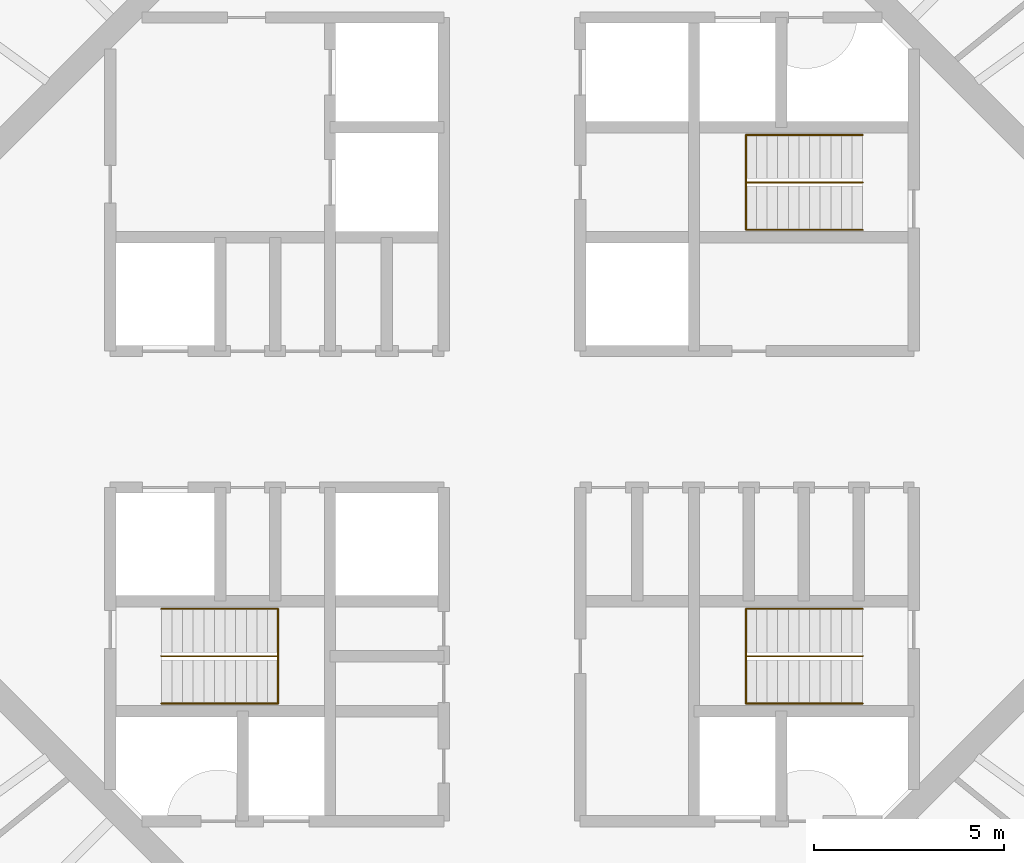
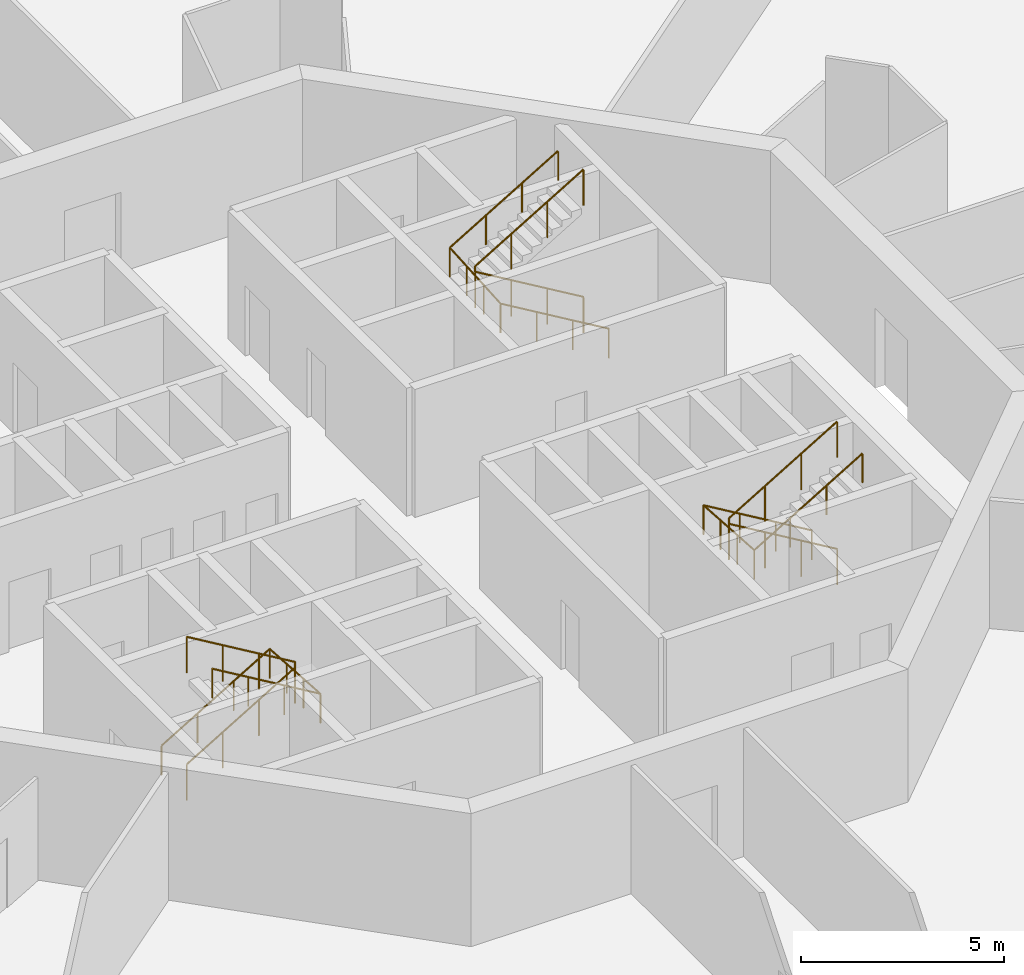
# One storey, part 13 of 13: 6 railings.
"""IFC4 building model written with IfcOpenShell, lengths in metres."""

from ifc_helpers import new_model, si_unit, direction, frame, origin, origin_2d, place, context, subcontext, project, spatial, circle, extrude, material, type_object, element, save


model = new_model("IFC4")

# Units and contexts
model_context = context("Model", 3, precision=1e-05, world=origin(), true_north=direction((0.0, 1.0)))
body_context = subcontext(model_context, "Body", "Model", "MODEL_VIEW")
ifc_project = project(units=[si_unit("LENGTHUNIT", "METRE"), si_unit("AREAUNIT", "SQUARE_METRE"), si_unit("VOLUMEUNIT", "CUBIC_METRE"), si_unit("PLANEANGLEUNIT", "RADIAN"), si_unit("MASSUNIT", "GRAM", prefix="KILO")], contexts=[model_context])

# Site, building, storey
site_placement = place(None, origin())
site = spatial("IfcSite", under=ifc_project, at=site_placement, CompositionType="ELEMENT")
building_placement = place(site_placement, origin())
building = spatial("IfcBuilding", under=site, at=building_placement, Name="Entoto Ring Tower", CompositionType="ELEMENT")
storey_placement = place(building_placement, frame((0.0, 0.0, 344.0)))
storey = spatial("IfcBuildingStorey", under=building, at=storey_placement, Name="L79", CompositionType="ELEMENT", Elevation=344.0)

# Railings
ifc_material_1 = material(Name="Steel S275", Category="steel")
railing_type_1 = type_object("IfcRailingType", Name="Stair guard 1100 mm steel", PredefinedType="GUARDRAIL", material=ifc_material_1)
railing_1_placement = place(storey_placement, frame((99.25, 86.25, 0.166748046875)))
element("IfcRailing", 1, at=railing_1_placement, inside=storey, type_object=railing_type_1, Name="Guard ST1", PredefinedType="GUARDRAIL", context=body_context, shape_type="SweptSolid", body=[
    extrude(circle(Radius=0.02392578125, at=origin_2d()), frame((0.0, 0.0, 1.076171875), z_axis=(-0.859308565015, 0.0, 0.511457515432), x_axis=(0.0, -1.0, 0.0)), (0.0, 0.0, 1.0), 3.58447265625),
    extrude(circle(Radius=0.02392578125, at=origin_2d()), frame((-3.080078125, 0.0, 2.9091796875), z_axis=(0.0, 0.0, 1.0), x_axis=(1.0, 0.0, 0.0)), (0.0, 0.0, 1.0), 0.166748046875),
    extrude(circle(Radius=0.02392578125, at=origin_2d()), frame((-3.080078125, 0.0, 3.076171875), z_axis=(0.859308565015, 0.0, 0.511457515432), x_axis=(0.0, 1.0, 0.0)), (0.0, 0.0, 1.0), 3.58447265625),
    extrude(circle(Radius=0.02099609375, at=origin_2d()), origin(), (0.0, 0.0, 1.0), 1.052001953125),
    extrude(circle(Radius=0.02099609375, at=origin_2d()), frame((-1.026611328125, 0.0, 0.611083984375)), (0.0, 0.0, 1.0), 1.052001953125),
    extrude(circle(Radius=0.02099609375, at=origin_2d()), frame((-2.053466796875, 0.0, 1.22216796875)), (0.0, 0.0, 1.0), 1.052001953125),
    extrude(circle(Radius=0.02099609375, at=origin_2d()), frame((-3.080078125, 0.0, 1.833251953125)), (0.0, 0.0, 1.0), 1.052001953125),
    extrude(circle(Radius=0.02099609375, at=origin_2d()), frame((-3.080078125, 0.0, 2.0)), (0.0, 0.0, 1.0), 1.052001953125),
    extrude(circle(Radius=0.02099609375, at=origin_2d()), frame((-2.053466796875, 0.0, 2.611083984375)), (0.0, 0.0, 1.0), 1.052001953125),
    extrude(circle(Radius=0.02099609375, at=origin_2d()), frame((-1.026611328125, 0.0, 3.22216796875)), (0.0, 0.0, 1.0), 1.052001953125),
    extrude(circle(Radius=0.02099609375, at=origin_2d()), frame((0.0, 0.0, 3.833251953125)), (0.0, 0.0, 1.0), 1.052001953125),
])
railing_2_placement = place(storey_placement, frame((80.75, 73.75, 0.166748046875)))
element("IfcRailing", 2, at=railing_2_placement, inside=storey, type_object=railing_type_1, Name="Guard ST2", PredefinedType="GUARDRAIL", context=body_context, shape_type="SweptSolid", body=[
    extrude(circle(Radius=0.02392578125, at=origin_2d()), frame((0.0, 0.0, 1.076171875), z_axis=(0.859308565015, 0.0, 0.511457515432), x_axis=(0.0, 1.0, 0.0)), (0.0, 0.0, 1.0), 3.58447265625),
    extrude(circle(Radius=0.02392578125, at=origin_2d()), frame((3.080078125, 0.0, 2.9091796875), z_axis=(0.0, 0.0, 1.0), x_axis=(1.0, 0.0, 0.0)), (0.0, 0.0, 1.0), 0.166748046875),
    extrude(circle(Radius=0.02392578125, at=origin_2d()), frame((3.080078125, 0.0, 3.076171875), z_axis=(-0.859308565015, 0.0, 0.511457515432), x_axis=(0.0, -1.0, 0.0)), (0.0, 0.0, 1.0), 3.58447265625),
    extrude(circle(Radius=0.02099609375, at=origin_2d()), origin(), (0.0, 0.0, 1.0), 1.052001953125),
    extrude(circle(Radius=0.02099609375, at=origin_2d()), frame((1.026611328125, 0.0, 0.611083984375)), (0.0, 0.0, 1.0), 1.052001953125),
    extrude(circle(Radius=0.02099609375, at=origin_2d()), frame((2.053466796875, 0.0, 1.22216796875)), (0.0, 0.0, 1.0), 1.052001953125),
    extrude(circle(Radius=0.02099609375, at=origin_2d()), frame((3.080078125, 0.0, 1.833251953125)), (0.0, 0.0, 1.0), 1.052001953125),
    extrude(circle(Radius=0.02099609375, at=origin_2d()), frame((3.080078125, 0.0, 2.0)), (0.0, 0.0, 1.0), 1.052001953125),
    extrude(circle(Radius=0.02099609375, at=origin_2d()), frame((2.053466796875, 0.0, 2.611083984375)), (0.0, 0.0, 1.0), 1.052001953125),
    extrude(circle(Radius=0.02099609375, at=origin_2d()), frame((1.026611328125, 0.0, 3.22216796875)), (0.0, 0.0, 1.0), 1.052001953125),
    extrude(circle(Radius=0.02099609375, at=origin_2d()), frame((0.0, 0.0, 3.833251953125)), (0.0, 0.0, 1.0), 1.052001953125),
])
railing_3_placement = place(storey_placement, frame((99.25, 73.75, 0.166748046875)))
element("IfcRailing", 3, at=railing_3_placement, inside=storey, type_object=railing_type_1, Name="Guard ST3", PredefinedType="GUARDRAIL", context=body_context, shape_type="SweptSolid", body=[
    extrude(circle(Radius=0.02392578125, at=origin_2d()), frame((0.0, 0.0, 1.076171875), z_axis=(-0.859308565015, 0.0, 0.511457515432), x_axis=(0.0, -1.0, 0.0)), (0.0, 0.0, 1.0), 3.58447265625),
    extrude(circle(Radius=0.02392578125, at=origin_2d()), frame((-3.080078125, 0.0, 2.9091796875), z_axis=(0.0, 0.0, 1.0), x_axis=(1.0, 0.0, 0.0)), (0.0, 0.0, 1.0), 0.166748046875),
    extrude(circle(Radius=0.02392578125, at=origin_2d()), frame((-3.080078125, 0.0, 3.076171875), z_axis=(0.859308565015, 0.0, 0.511457515432), x_axis=(0.0, 1.0, 0.0)), (0.0, 0.0, 1.0), 3.58447265625),
    extrude(circle(Radius=0.02099609375, at=origin_2d()), origin(), (0.0, 0.0, 1.0), 1.052001953125),
    extrude(circle(Radius=0.02099609375, at=origin_2d()), frame((-1.026611328125, 0.0, 0.611083984375)), (0.0, 0.0, 1.0), 1.052001953125),
    extrude(circle(Radius=0.02099609375, at=origin_2d()), frame((-2.053466796875, 0.0, 1.22216796875)), (0.0, 0.0, 1.0), 1.052001953125),
    extrude(circle(Radius=0.02099609375, at=origin_2d()), frame((-3.080078125, 0.0, 1.833251953125)), (0.0, 0.0, 1.0), 1.052001953125),
    extrude(circle(Radius=0.02099609375, at=origin_2d()), frame((-3.080078125, 0.0, 2.0)), (0.0, 0.0, 1.0), 1.052001953125),
    extrude(circle(Radius=0.02099609375, at=origin_2d()), frame((-2.053466796875, 0.0, 2.611083984375)), (0.0, 0.0, 1.0), 1.052001953125),
    extrude(circle(Radius=0.02099609375, at=origin_2d()), frame((-1.026611328125, 0.0, 3.22216796875)), (0.0, 0.0, 1.0), 1.052001953125),
    extrude(circle(Radius=0.02099609375, at=origin_2d()), frame((0.0, 0.0, 3.833251953125)), (0.0, 0.0, 1.0), 1.052001953125),
])
ifc_material_2 = material(Name="Steel S275", Category="steel")
railing_type_2 = type_object("IfcRailingType", Name="Stair handrail 900 mm steel", PredefinedType="HANDRAIL", material=ifc_material_2)
railing_4_placement = place(storey_placement, frame((99.25, 85.0, 0.166748046875)))
element("IfcRailing", 4, at=railing_4_placement, inside=storey, type_object=railing_type_2, Name="Handrail ST1", PredefinedType="HANDRAIL", context=body_context, shape_type="SweptSolid", body=[
    extrude(circle(Radius=0.02392578125, at=origin_2d()), frame((0.0, 0.0, 0.8759765625), z_axis=(-0.859308565015, 0.0, 0.511457515432), x_axis=(0.0, -1.0, 0.0)), (0.0, 0.0, 1.0), 3.58447265625),
    extrude(circle(Radius=0.02392578125, at=origin_2d()), frame((-3.080078125, 0.0, 2.708984375), z_axis=(0.0, 0.997783001586, 0.066551346688), x_axis=(-1.0, 0.0, 0.0)), (0.0, 0.0, 1.0), 2.505615234375),
    extrude(circle(Radius=0.02392578125, at=origin_2d()), frame((-3.080078125, 2.5, 2.8759765625), z_axis=(0.859308565015, 0.0, 0.511457515432), x_axis=(0.0, 1.0, 0.0)), (0.0, 0.0, 1.0), 3.58447265625),
    extrude(circle(Radius=0.02099609375, at=origin_2d()), origin(), (0.0, 0.0, 1.0), 0.851806640625),
    extrude(circle(Radius=0.02099609375, at=origin_2d()), frame((-1.026611328125, 0.0, 0.611083984375)), (0.0, 0.0, 1.0), 0.851806640625),
    extrude(circle(Radius=0.02099609375, at=origin_2d()), frame((-2.053466796875, 0.0, 1.22216796875)), (0.0, 0.0, 1.0), 0.851806640625),
    extrude(circle(Radius=0.02099609375, at=origin_2d()), frame((-3.080078125, 0.0, 1.833251953125)), (0.0, 0.0, 1.0), 0.851806640625),
    extrude(circle(Radius=0.02099609375, at=origin_2d()), frame((-3.080078125, 0.833251953125, 1.888916015625)), (0.0, 0.0, 1.0), 0.851806640625),
    extrude(circle(Radius=0.02099609375, at=origin_2d()), frame((-3.080078125, 1.666748046875, 1.9443359375)), (0.0, 0.0, 1.0), 0.851806640625),
    extrude(circle(Radius=0.02099609375, at=origin_2d()), frame((-3.080078125, 2.5, 2.0)), (0.0, 0.0, 1.0), 0.851806640625),
    extrude(circle(Radius=0.02099609375, at=origin_2d()), frame((-2.053466796875, 2.5, 2.611083984375)), (0.0, 0.0, 1.0), 0.851806640625),
    extrude(circle(Radius=0.02099609375, at=origin_2d()), frame((-1.026611328125, 2.5, 3.22216796875)), (0.0, 0.0, 1.0), 0.851806640625),
    extrude(circle(Radius=0.02099609375, at=origin_2d()), frame((0.0, 2.5, 3.833251953125)), (0.0, 0.0, 1.0), 0.851806640625),
])
railing_5_placement = place(storey_placement, frame((80.75, 75.0, 0.166748046875)))
element("IfcRailing", 5, at=railing_5_placement, inside=storey, type_object=railing_type_2, Name="Handrail ST2", PredefinedType="HANDRAIL", context=body_context, shape_type="SweptSolid", body=[
    extrude(circle(Radius=0.02392578125, at=origin_2d()), frame((0.0, 0.0, 0.8759765625), z_axis=(0.859308565015, 0.0, 0.511457515432), x_axis=(0.0, 1.0, 0.0)), (0.0, 0.0, 1.0), 3.58447265625),
    extrude(circle(Radius=0.02392578125, at=origin_2d()), frame((3.080078125, 0.0, 2.708984375), z_axis=(0.0, -0.997783001586, 0.066551346688), x_axis=(1.0, 0.0, 0.0)), (0.0, 0.0, 1.0), 2.505615234375),
    extrude(circle(Radius=0.02392578125, at=origin_2d()), frame((3.080078125, -2.5, 2.8759765625), z_axis=(-0.859308565015, 0.0, 0.511457515432), x_axis=(0.0, -1.0, 0.0)), (0.0, 0.0, 1.0), 3.58447265625),
    extrude(circle(Radius=0.02099609375, at=origin_2d()), origin(), (0.0, 0.0, 1.0), 0.851806640625),
    extrude(circle(Radius=0.02099609375, at=origin_2d()), frame((1.026611328125, 0.0, 0.611083984375)), (0.0, 0.0, 1.0), 0.851806640625),
    extrude(circle(Radius=0.02099609375, at=origin_2d()), frame((2.053466796875, 0.0, 1.22216796875)), (0.0, 0.0, 1.0), 0.851806640625),
    extrude(circle(Radius=0.02099609375, at=origin_2d()), frame((3.080078125, 0.0, 1.833251953125)), (0.0, 0.0, 1.0), 0.851806640625),
    extrude(circle(Radius=0.02099609375, at=origin_2d()), frame((3.080078125, -0.833251953125, 1.888916015625)), (0.0, 0.0, 1.0), 0.851806640625),
    extrude(circle(Radius=0.02099609375, at=origin_2d()), frame((3.080078125, -1.666748046875, 1.9443359375)), (0.0, 0.0, 1.0), 0.851806640625),
    extrude(circle(Radius=0.02099609375, at=origin_2d()), frame((3.080078125, -2.5, 2.0)), (0.0, 0.0, 1.0), 0.851806640625),
    extrude(circle(Radius=0.02099609375, at=origin_2d()), frame((2.053466796875, -2.5, 2.611083984375)), (0.0, 0.0, 1.0), 0.851806640625),
    extrude(circle(Radius=0.02099609375, at=origin_2d()), frame((1.026611328125, -2.5, 3.22216796875)), (0.0, 0.0, 1.0), 0.851806640625),
    extrude(circle(Radius=0.02099609375, at=origin_2d()), frame((0.0, -2.5, 3.833251953125)), (0.0, 0.0, 1.0), 0.851806640625),
])
railing_6_placement = place(storey_placement, frame((99.25, 75.0, 0.166748046875)))
element("IfcRailing", 6, at=railing_6_placement, inside=storey, type_object=railing_type_2, Name="Handrail ST3", PredefinedType="HANDRAIL", context=body_context, shape_type="SweptSolid", body=[
    extrude(circle(Radius=0.02392578125, at=origin_2d()), frame((0.0, 0.0, 0.8759765625), z_axis=(-0.859308565015, 0.0, 0.511457515432), x_axis=(0.0, -1.0, 0.0)), (0.0, 0.0, 1.0), 3.58447265625),
    extrude(circle(Radius=0.02392578125, at=origin_2d()), frame((-3.080078125, 0.0, 2.708984375), z_axis=(0.0, -0.997783001586, 0.066551346688), x_axis=(1.0, 0.0, 0.0)), (0.0, 0.0, 1.0), 2.505615234375),
    extrude(circle(Radius=0.02392578125, at=origin_2d()), frame((-3.080078125, -2.5, 2.8759765625), z_axis=(0.859308565015, 0.0, 0.511457515432), x_axis=(0.0, 1.0, 0.0)), (0.0, 0.0, 1.0), 3.58447265625),
    extrude(circle(Radius=0.02099609375, at=origin_2d()), origin(), (0.0, 0.0, 1.0), 0.851806640625),
    extrude(circle(Radius=0.02099609375, at=origin_2d()), frame((-1.026611328125, 0.0, 0.611083984375)), (0.0, 0.0, 1.0), 0.851806640625),
    extrude(circle(Radius=0.02099609375, at=origin_2d()), frame((-2.053466796875, 0.0, 1.22216796875)), (0.0, 0.0, 1.0), 0.851806640625),
    extrude(circle(Radius=0.02099609375, at=origin_2d()), frame((-3.080078125, 0.0, 1.833251953125)), (0.0, 0.0, 1.0), 0.851806640625),
    extrude(circle(Radius=0.02099609375, at=origin_2d()), frame((-3.080078125, -0.833251953125, 1.888916015625)), (0.0, 0.0, 1.0), 0.851806640625),
    extrude(circle(Radius=0.02099609375, at=origin_2d()), frame((-3.080078125, -1.666748046875, 1.9443359375)), (0.0, 0.0, 1.0), 0.851806640625),
    extrude(circle(Radius=0.02099609375, at=origin_2d()), frame((-3.080078125, -2.5, 2.0)), (0.0, 0.0, 1.0), 0.851806640625),
    extrude(circle(Radius=0.02099609375, at=origin_2d()), frame((-2.053466796875, -2.5, 2.611083984375)), (0.0, 0.0, 1.0), 0.851806640625),
    extrude(circle(Radius=0.02099609375, at=origin_2d()), frame((-1.026611328125, -2.5, 3.22216796875)), (0.0, 0.0, 1.0), 0.851806640625),
    extrude(circle(Radius=0.02099609375, at=origin_2d()), frame((0.0, -2.5, 3.833251953125)), (0.0, 0.0, 1.0), 0.851806640625),
])

save(model, "model.ifc")
